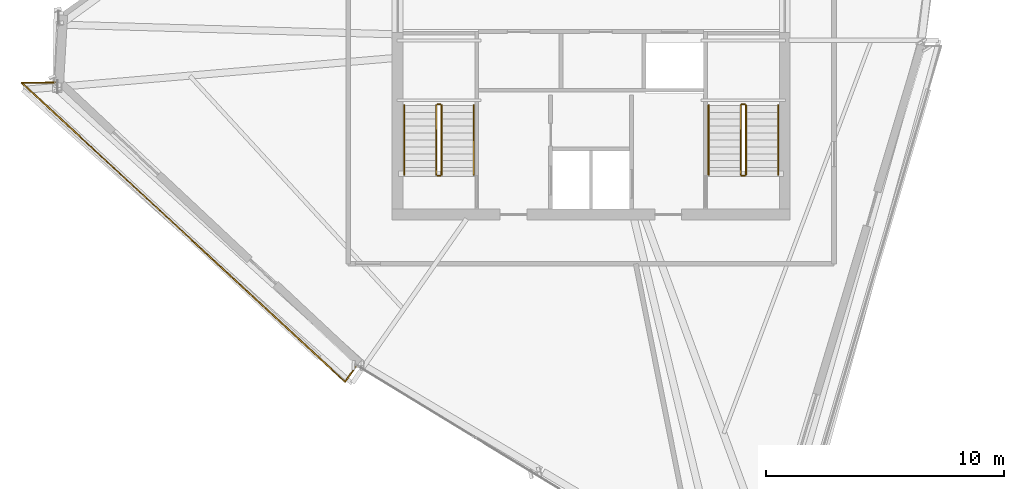
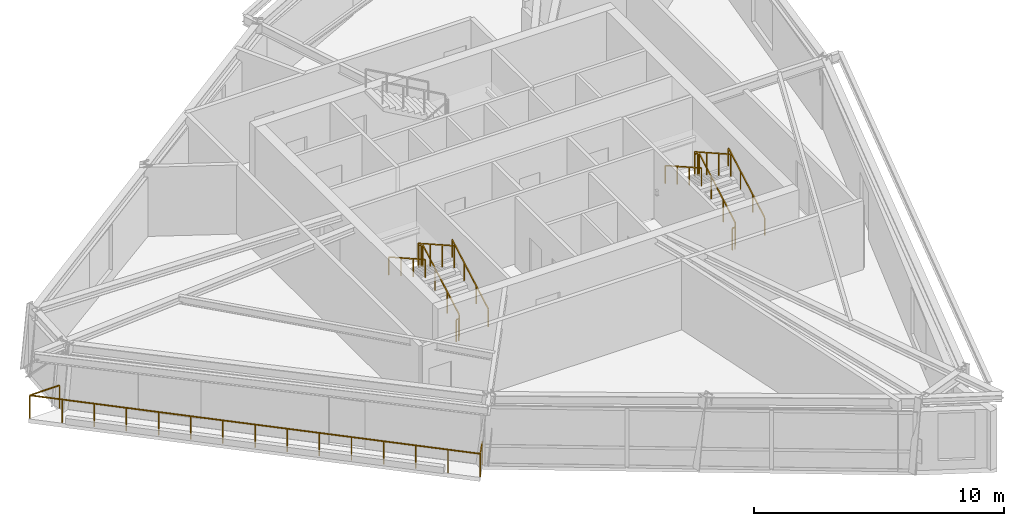
# One storey, part 12 of 14: 13 railings.
"""IFC4 building model written with IfcOpenShell, lengths in metres."""

from ifc_helpers import new_model, si_unit, direction, frame, origin, origin_2d, place, context, subcontext, project, spatial, rectangle, extrude, material, type_object, element, save


model = new_model("IFC4")

# Units and contexts
model_context = context("Model", 3, precision=1e-05, world=origin(), true_north=direction((0.0, 1.0)))
body_context = subcontext(model_context, "Body", "Model", "MODEL_VIEW")
ifc_project = project(units=[si_unit("LENGTHUNIT", "METRE"), si_unit("AREAUNIT", "SQUARE_METRE"), si_unit("VOLUMEUNIT", "CUBIC_METRE"), si_unit("PLANEANGLEUNIT", "RADIAN"), si_unit("MASSUNIT", "GRAM", prefix="KILO")], contexts=[model_context])

# Site, building, storey
site_placement = place(None, origin())
site = spatial("IfcSite", under=ifc_project, at=site_placement, CompositionType="ELEMENT")
building_placement = place(site_placement, origin())
building = spatial("IfcBuilding", under=site, at=building_placement, Name="Olszyna Solenne Hotel", CompositionType="ELEMENT")
storey_placement = place(building_placement, frame((0.0, 0.0, 256.10009765625)))
storey = spatial("IfcBuildingStorey", under=building, at=storey_placement, Name="L68", CompositionType="ELEMENT", Elevation=256.10009765625)

# Railings
ifc_material_1 = material(Name="Anodised bronze aluminium", Category="aluminium")
railing_type_1 = type_object("IfcRailingType", Name="GR-110", PredefinedType="BALUSTRADE", material=ifc_material_1)
railing_1_placement = place(storey_placement, frame((15.473876953125, 24.813720703125, 0.0)))
element("IfcRailing", 1, at=railing_1_placement, inside=storey, type_object=railing_type_1, Name="Loggia balcony balustrade guard GR-L68-LG2", PredefinedType="BALUSTRADE", context=body_context, shape_type="SweptSolid", body=[
    extrude(rectangle(XDim=0.048095703125, YDim=0.048095703125, at=origin_2d()), frame((0.0, 0.0, 1.1259765625), z_axis=(-0.999952622993, -0.009734052082, 0.0), x_axis=(0.009734052082, -0.999952622993, 0.0)), (0.0, 0.0, 1.0), 1.37939453125),
    extrude(rectangle(XDim=0.048095703125, YDim=0.048095703125, at=origin_2d()), frame((-1.37939453125, -0.013427734375, 1.1259765625), z_axis=(0.734241765395, -0.678888083523, 0.0), x_axis=(0.678888083523, 0.734241765395, 0.0)), (0.0, 0.0, 1.0), 18.489013671875),
    extrude(rectangle(XDim=0.048095703125, YDim=0.048095703125, at=origin_2d()), frame((12.196044921875, -12.5654296875, 1.1259765625), z_axis=(0.581702107098, 0.813401904717, 0.0), x_axis=(-0.813401904717, 0.581702107098, 0.0)), (0.0, 0.0, 1.0), 0.84619140625),
    extrude(rectangle(XDim=0.0419921875, YDim=0.0419921875, at=origin_2d()), origin(), (0.0, 0.0, 1.0), 1.101806640625),
    extrude(rectangle(XDim=0.0419921875, YDim=0.0419921875, at=origin_2d()), frame((-1.37939453125, -0.013427734375, 0.0)), (0.0, 0.0, 1.0), 1.101806640625),
    extrude(rectangle(XDim=0.0419921875, YDim=0.0419921875, at=origin_2d()), frame((-0.40966796875, -0.909912109375, 0.0)), (0.0, 0.0, 1.0), 1.101806640625),
    extrude(rectangle(XDim=0.0419921875, YDim=0.0419921875, at=origin_2d()), frame((0.56005859375, -1.806640625, 0.0)), (0.0, 0.0, 1.0), 1.101806640625),
    extrude(rectangle(XDim=0.0419921875, YDim=0.0419921875, at=origin_2d()), frame((1.529541015625, -2.703125, 0.0)), (0.0, 0.0, 1.0), 1.101806640625),
    extrude(rectangle(XDim=0.0419921875, YDim=0.0419921875, at=origin_2d()), frame((2.499267578125, -3.599609375, 0.0)), (0.0, 0.0, 1.0), 1.101806640625),
    extrude(rectangle(XDim=0.0419921875, YDim=0.0419921875, at=origin_2d()), frame((3.468994140625, -4.496337890625, 0.0)), (0.0, 0.0, 1.0), 1.101806640625),
    extrude(rectangle(XDim=0.0419921875, YDim=0.0419921875, at=origin_2d()), frame((4.438720703125, -5.392822265625, 0.0)), (0.0, 0.0, 1.0), 1.101806640625),
    extrude(rectangle(XDim=0.0419921875, YDim=0.0419921875, at=origin_2d()), frame((5.408203125, -6.28955078125, 0.0)), (0.0, 0.0, 1.0), 1.101806640625),
    extrude(rectangle(XDim=0.0419921875, YDim=0.0419921875, at=origin_2d()), frame((6.3779296875, -7.18603515625, 0.0)), (0.0, 0.0, 1.0), 1.101806640625),
    extrude(rectangle(XDim=0.0419921875, YDim=0.0419921875, at=origin_2d()), frame((7.34765625, -8.08251953125, 0.0)), (0.0, 0.0, 1.0), 1.101806640625),
    extrude(rectangle(XDim=0.0419921875, YDim=0.0419921875, at=origin_2d()), frame((8.3173828125, -8.979248046875, 0.0)), (0.0, 0.0, 1.0), 1.101806640625),
    extrude(rectangle(XDim=0.0419921875, YDim=0.0419921875, at=origin_2d()), frame((9.287109375, -9.875732421875, 0.0)), (0.0, 0.0, 1.0), 1.101806640625),
    extrude(rectangle(XDim=0.0419921875, YDim=0.0419921875, at=origin_2d()), frame((10.256591796875, -10.772216796875, 0.0)), (0.0, 0.0, 1.0), 1.101806640625),
    extrude(rectangle(XDim=0.0419921875, YDim=0.0419921875, at=origin_2d()), frame((11.226318359375, -11.6689453125, 0.0)), (0.0, 0.0, 1.0), 1.101806640625),
    extrude(rectangle(XDim=0.0419921875, YDim=0.0419921875, at=origin_2d()), frame((12.196044921875, -12.5654296875, 0.0)), (0.0, 0.0, 1.0), 1.101806640625),
    extrude(rectangle(XDim=0.0419921875, YDim=0.0419921875, at=origin_2d()), frame((12.688232421875, -11.877197265625, 0.0)), (0.0, 0.0, 1.0), 1.101806640625),
])
railing_2_placement = place(storey_placement, frame((31.719970703125, 20.949951171875, 0.16357421875)))
element("IfcRailing", 2, at=railing_2_placement, inside=storey, type_object=railing_type_1, Name="L68 ST1 stair guard 1", PredefinedType="BALUSTRADE", context=body_context, shape_type="SweptSolid", body=[
    extrude(rectangle(XDim=0.048095703125, YDim=0.048095703125, at=origin_2d()), frame((0.0, 0.0, 1.076171875), z_axis=(0.0, 0.870946286338, 0.49137823142), x_axis=(-1.0, 0.0, 0.0)), (0.0, 0.0, 1.0), 3.329833984375),
    extrude(rectangle(XDim=0.0419921875, YDim=0.0419921875, at=origin_2d()), origin(), (0.0, 0.0, 1.0), 1.052001953125),
    extrude(rectangle(XDim=0.0419921875, YDim=0.0419921875, at=origin_2d()), frame((0.0, 0.966796875, 0.54541015625)), (0.0, 0.0, 1.0), 1.052001953125),
    extrude(rectangle(XDim=0.0419921875, YDim=0.0419921875, at=origin_2d()), frame((0.0, 1.933349609375, 1.0908203125)), (0.0, 0.0, 1.0), 1.052001953125),
    extrude(rectangle(XDim=0.0419921875, YDim=0.0419921875, at=origin_2d()), frame((0.0, 2.900146484375, 1.63623046875)), (0.0, 0.0, 1.0), 1.052001953125),
])
railing_3_placement = place(storey_placement, frame((31.669921875, 23.89990234375, 1.7998046875)))
element("IfcRailing", 3, at=railing_3_placement, inside=storey, type_object=railing_type_1, Name="L68 ST1 stair guard 2", PredefinedType="BALUSTRADE", context=body_context, shape_type="SweptSolid", body=[
    extrude(rectangle(XDim=0.048095703125, YDim=0.048095703125, at=origin_2d()), frame((0.0, 0.0, 1.076171875), z_axis=(-1.0, 0.0, 0.0), x_axis=(0.0, -1.0, 0.0)), (0.0, 0.0, 1.0), 0.119873046875),
    extrude(rectangle(XDim=0.0419921875, YDim=0.0419921875, at=origin_2d()), origin(), (0.0, 0.0, 1.0), 1.052001953125),
    extrude(rectangle(XDim=0.0419921875, YDim=0.0419921875, at=origin_2d()), frame((-0.119873046875, 0.0, 0.0)), (0.0, 0.0, 1.0), 1.052001953125),
])
railing_4_placement = place(storey_placement, frame((31.5, 23.85009765625, 1.963623046875)))
element("IfcRailing", 4, at=railing_4_placement, inside=storey, type_object=railing_type_1, Name="L68 ST1 stair guard 3", PredefinedType="BALUSTRADE", context=body_context, shape_type="SweptSolid", body=[
    extrude(rectangle(XDim=0.048095703125, YDim=0.048095703125, at=origin_2d()), frame((0.0, 0.0, 1.076171875), z_axis=(0.0, -0.870946286338, 0.49137823142), x_axis=(1.0, 0.0, 0.0)), (0.0, 0.0, 1.0), 3.329833984375),
    extrude(rectangle(XDim=0.0419921875, YDim=0.0419921875, at=origin_2d()), origin(), (0.0, 0.0, 1.0), 1.052001953125),
    extrude(rectangle(XDim=0.0419921875, YDim=0.0419921875, at=origin_2d()), frame((0.0, -0.966796875, 0.54541015625)), (0.0, 0.0, 1.0), 1.052001953125),
    extrude(rectangle(XDim=0.0419921875, YDim=0.0419921875, at=origin_2d()), frame((0.0, -1.933349609375, 1.0908203125)), (0.0, 0.0, 1.0), 1.052001953125),
    extrude(rectangle(XDim=0.0419921875, YDim=0.0419921875, at=origin_2d()), frame((0.0, -2.900146484375, 1.63623046875)), (0.0, 0.0, 1.0), 1.052001953125),
])
railing_5_placement = place(storey_placement, frame((31.669921875, 20.89990234375, 0.0)))
element("IfcRailing", 5, at=railing_5_placement, inside=storey, type_object=railing_type_1, Name="L68 ST1 stair guard 4", PredefinedType="BALUSTRADE", context=body_context, shape_type="SweptSolid", body=[
    extrude(rectangle(XDim=0.048095703125, YDim=0.048095703125, at=origin_2d()), frame((0.0, 0.0, 1.076171875), z_axis=(-1.0, 0.0, 0.0), x_axis=(0.0, -1.0, 0.0)), (0.0, 0.0, 1.0), 0.119873046875),
    extrude(rectangle(XDim=0.0419921875, YDim=0.0419921875, at=origin_2d()), origin(), (0.0, 0.0, 1.0), 1.052001953125),
    extrude(rectangle(XDim=0.0419921875, YDim=0.0419921875, at=origin_2d()), frame((-0.119873046875, 0.0, 0.0)), (0.0, 0.0, 1.0), 1.052001953125),
])
railing_6_placement = place(storey_placement, frame((44.5, 20.949951171875, 0.16357421875)))
element("IfcRailing", 6, at=railing_6_placement, inside=storey, type_object=railing_type_1, Name="L68 ST2 stair guard 1", PredefinedType="BALUSTRADE", context=body_context, shape_type="SweptSolid", body=[
    extrude(rectangle(XDim=0.048095703125, YDim=0.048095703125, at=origin_2d()), frame((0.0, 0.0, 1.076171875), z_axis=(0.0, 0.870946286338, 0.49137823142), x_axis=(-1.0, 0.0, 0.0)), (0.0, 0.0, 1.0), 3.329833984375),
    extrude(rectangle(XDim=0.0419921875, YDim=0.0419921875, at=origin_2d()), origin(), (0.0, 0.0, 1.0), 1.052001953125),
    extrude(rectangle(XDim=0.0419921875, YDim=0.0419921875, at=origin_2d()), frame((0.0, 0.966796875, 0.54541015625)), (0.0, 0.0, 1.0), 1.052001953125),
    extrude(rectangle(XDim=0.0419921875, YDim=0.0419921875, at=origin_2d()), frame((0.0, 1.933349609375, 1.0908203125)), (0.0, 0.0, 1.0), 1.052001953125),
    extrude(rectangle(XDim=0.0419921875, YDim=0.0419921875, at=origin_2d()), frame((0.0, 2.900146484375, 1.63623046875)), (0.0, 0.0, 1.0), 1.052001953125),
])
railing_7_placement = place(storey_placement, frame((44.449951171875, 23.89990234375, 1.7998046875)))
element("IfcRailing", 7, at=railing_7_placement, inside=storey, type_object=railing_type_1, Name="L68 ST2 stair guard 2", PredefinedType="BALUSTRADE", context=body_context, shape_type="SweptSolid", body=[
    extrude(rectangle(XDim=0.048095703125, YDim=0.048095703125, at=origin_2d()), frame((0.0, 0.0, 1.076171875), z_axis=(-1.0, 0.0, 0.0), x_axis=(0.0, -1.0, 0.0)), (0.0, 0.0, 1.0), 0.119873046875),
    extrude(rectangle(XDim=0.0419921875, YDim=0.0419921875, at=origin_2d()), origin(), (0.0, 0.0, 1.0), 1.052001953125),
    extrude(rectangle(XDim=0.0419921875, YDim=0.0419921875, at=origin_2d()), frame((-0.119873046875, 0.0, 0.0)), (0.0, 0.0, 1.0), 1.052001953125),
])
railing_8_placement = place(storey_placement, frame((44.280029296875, 23.85009765625, 1.963623046875)))
element("IfcRailing", 8, at=railing_8_placement, inside=storey, type_object=railing_type_1, Name="L68 ST2 stair guard 3", PredefinedType="BALUSTRADE", context=body_context, shape_type="SweptSolid", body=[
    extrude(rectangle(XDim=0.048095703125, YDim=0.048095703125, at=origin_2d()), frame((0.0, 0.0, 1.076171875), z_axis=(0.0, -0.870946286338, 0.49137823142), x_axis=(1.0, 0.0, 0.0)), (0.0, 0.0, 1.0), 3.329833984375),
    extrude(rectangle(XDim=0.0419921875, YDim=0.0419921875, at=origin_2d()), origin(), (0.0, 0.0, 1.0), 1.052001953125),
    extrude(rectangle(XDim=0.0419921875, YDim=0.0419921875, at=origin_2d()), frame((0.0, -0.966796875, 0.54541015625)), (0.0, 0.0, 1.0), 1.052001953125),
    extrude(rectangle(XDim=0.0419921875, YDim=0.0419921875, at=origin_2d()), frame((0.0, -1.933349609375, 1.0908203125)), (0.0, 0.0, 1.0), 1.052001953125),
    extrude(rectangle(XDim=0.0419921875, YDim=0.0419921875, at=origin_2d()), frame((0.0, -2.900146484375, 1.63623046875)), (0.0, 0.0, 1.0), 1.052001953125),
])
railing_9_placement = place(storey_placement, frame((44.449951171875, 20.89990234375, 0.0)))
element("IfcRailing", 9, at=railing_9_placement, inside=storey, type_object=railing_type_1, Name="L68 ST2 stair guard 4", PredefinedType="BALUSTRADE", context=body_context, shape_type="SweptSolid", body=[
    extrude(rectangle(XDim=0.048095703125, YDim=0.048095703125, at=origin_2d()), frame((0.0, 0.0, 1.076171875), z_axis=(-1.0, 0.0, 0.0), x_axis=(0.0, -1.0, 0.0)), (0.0, 0.0, 1.0), 0.119873046875),
    extrude(rectangle(XDim=0.0419921875, YDim=0.0419921875, at=origin_2d()), origin(), (0.0, 0.0, 1.0), 1.052001953125),
    extrude(rectangle(XDim=0.0419921875, YDim=0.0419921875, at=origin_2d()), frame((-0.119873046875, 0.0, 0.0)), (0.0, 0.0, 1.0), 1.052001953125),
])
ifc_material_2 = material(Name="Steel S355J2", Category="steel")
railing_type_2 = type_object("IfcRailingType", Name="HR-090", PredefinedType="HANDRAIL", material=ifc_material_2)
railing_10_placement = place(storey_placement, frame((33.070068359375, 20.949951171875, 0.16357421875)))
element("IfcRailing", 10, at=railing_10_placement, inside=storey, type_object=railing_type_2, Name="L68 ST1 stair handrail 1", PredefinedType="HANDRAIL", context=body_context, shape_type="SweptSolid", body=[
    extrude(rectangle(XDim=0.048095703125, YDim=0.048095703125, at=origin_2d()), frame((0.0, 0.0, 0.8759765625), z_axis=(0.0, 0.870946286338, 0.49137823142), x_axis=(-1.0, 0.0, 0.0)), (0.0, 0.0, 1.0), 3.329833984375),
    extrude(rectangle(XDim=0.0419921875, YDim=0.0419921875, at=origin_2d()), origin(), (0.0, 0.0, 1.0), 0.851806640625),
    extrude(rectangle(XDim=0.0419921875, YDim=0.0419921875, at=origin_2d()), frame((0.0, 0.966796875, 0.54541015625)), (0.0, 0.0, 1.0), 0.851806640625),
    extrude(rectangle(XDim=0.0419921875, YDim=0.0419921875, at=origin_2d()), frame((0.0, 1.933349609375, 1.0908203125)), (0.0, 0.0, 1.0), 0.851806640625),
    extrude(rectangle(XDim=0.0419921875, YDim=0.0419921875, at=origin_2d()), frame((0.0, 2.900146484375, 1.63623046875)), (0.0, 0.0, 1.0), 0.851806640625),
])
railing_11_placement = place(storey_placement, frame((30.14990234375, 23.85009765625, 1.963623046875)))
element("IfcRailing", 11, at=railing_11_placement, inside=storey, type_object=railing_type_2, Name="L68 ST1 stair handrail 2", PredefinedType="HANDRAIL", context=body_context, shape_type="SweptSolid", body=[
    extrude(rectangle(XDim=0.048095703125, YDim=0.048095703125, at=origin_2d()), frame((0.0, 0.0, 0.8759765625), z_axis=(0.0, -0.870946286338, 0.49137823142), x_axis=(1.0, 0.0, 0.0)), (0.0, 0.0, 1.0), 3.329833984375),
    extrude(rectangle(XDim=0.0419921875, YDim=0.0419921875, at=origin_2d()), origin(), (0.0, 0.0, 1.0), 0.851806640625),
    extrude(rectangle(XDim=0.0419921875, YDim=0.0419921875, at=origin_2d()), frame((0.0, -0.966796875, 0.54541015625)), (0.0, 0.0, 1.0), 0.851806640625),
    extrude(rectangle(XDim=0.0419921875, YDim=0.0419921875, at=origin_2d()), frame((0.0, -1.933349609375, 1.0908203125)), (0.0, 0.0, 1.0), 0.851806640625),
    extrude(rectangle(XDim=0.0419921875, YDim=0.0419921875, at=origin_2d()), frame((0.0, -2.900146484375, 1.63623046875)), (0.0, 0.0, 1.0), 0.851806640625),
])
railing_12_placement = place(storey_placement, frame((45.85009765625, 20.949951171875, 0.16357421875)))
element("IfcRailing", 12, at=railing_12_placement, inside=storey, type_object=railing_type_2, Name="L68 ST2 stair handrail 1", PredefinedType="HANDRAIL", context=body_context, shape_type="SweptSolid", body=[
    extrude(rectangle(XDim=0.048095703125, YDim=0.048095703125, at=origin_2d()), frame((0.0, 0.0, 0.8759765625), z_axis=(0.0, 0.870946286338, 0.49137823142), x_axis=(-1.0, 0.0, 0.0)), (0.0, 0.0, 1.0), 3.329833984375),
    extrude(rectangle(XDim=0.0419921875, YDim=0.0419921875, at=origin_2d()), origin(), (0.0, 0.0, 1.0), 0.851806640625),
    extrude(rectangle(XDim=0.0419921875, YDim=0.0419921875, at=origin_2d()), frame((0.0, 0.966796875, 0.54541015625)), (0.0, 0.0, 1.0), 0.851806640625),
    extrude(rectangle(XDim=0.0419921875, YDim=0.0419921875, at=origin_2d()), frame((0.0, 1.933349609375, 1.0908203125)), (0.0, 0.0, 1.0), 0.851806640625),
    extrude(rectangle(XDim=0.0419921875, YDim=0.0419921875, at=origin_2d()), frame((0.0, 2.900146484375, 1.63623046875)), (0.0, 0.0, 1.0), 0.851806640625),
])
railing_13_placement = place(storey_placement, frame((42.929931640625, 23.85009765625, 1.963623046875)))
element("IfcRailing", 13, at=railing_13_placement, inside=storey, type_object=railing_type_2, Name="L68 ST2 stair handrail 2", PredefinedType="HANDRAIL", context=body_context, shape_type="SweptSolid", body=[
    extrude(rectangle(XDim=0.048095703125, YDim=0.048095703125, at=origin_2d()), frame((0.0, 0.0, 0.8759765625), z_axis=(0.0, -0.870946286338, 0.49137823142), x_axis=(1.0, 0.0, 0.0)), (0.0, 0.0, 1.0), 3.329833984375),
    extrude(rectangle(XDim=0.0419921875, YDim=0.0419921875, at=origin_2d()), origin(), (0.0, 0.0, 1.0), 0.851806640625),
    extrude(rectangle(XDim=0.0419921875, YDim=0.0419921875, at=origin_2d()), frame((0.0, -0.966796875, 0.54541015625)), (0.0, 0.0, 1.0), 0.851806640625),
    extrude(rectangle(XDim=0.0419921875, YDim=0.0419921875, at=origin_2d()), frame((0.0, -1.933349609375, 1.0908203125)), (0.0, 0.0, 1.0), 0.851806640625),
    extrude(rectangle(XDim=0.0419921875, YDim=0.0419921875, at=origin_2d()), frame((0.0, -2.900146484375, 1.63623046875)), (0.0, 0.0, 1.0), 0.851806640625),
])

save(model, "model.ifc")
